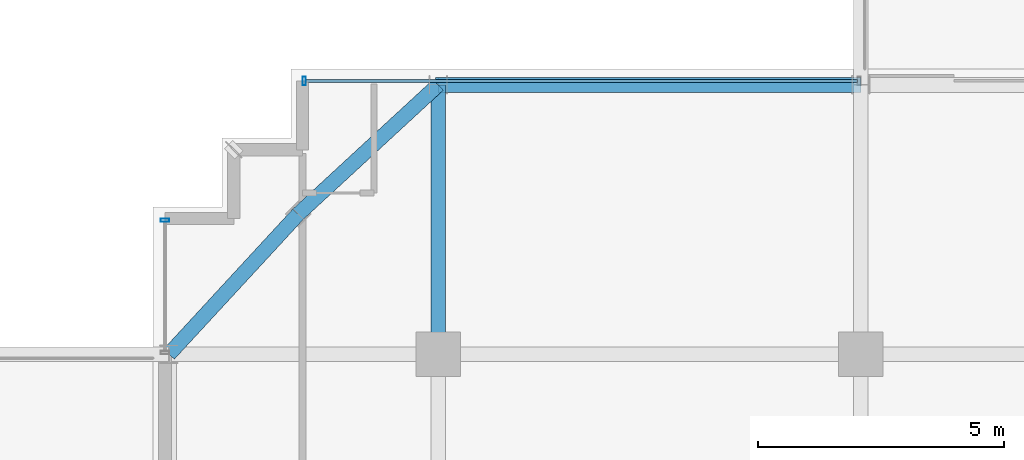
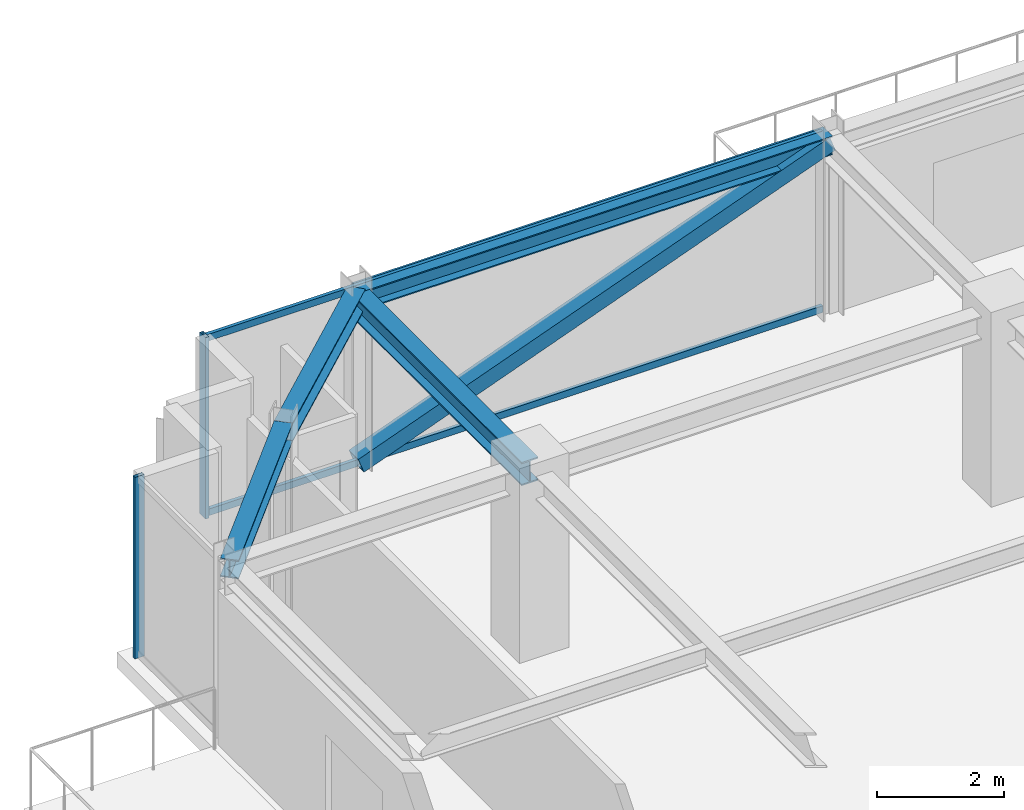
# One storey, part 19 of 36: 5 members, 4 beams, 2 elements without a shape of their own.
"""IFC4 building model written with IfcOpenShell, lengths in metres."""

from ifc_helpers import new_model, si_unit, direction, frame, origin, origin_2d, place, context, subcontext, project, spatial, hollow_rectangle, i_section, extrude, source, transform, mapped, material, material_profile, profile_set, type_object, element, aggregate, save


model = new_model("IFC4")

# Units and contexts
model_context = context("Model", 3, precision=1e-05, world=origin(), true_north=direction((0.0, 1.0)))
body_context = subcontext(model_context, "Body", "Model", "MODEL_VIEW")
ifc_project = project(units=[si_unit("LENGTHUNIT", "METRE"), si_unit("AREAUNIT", "SQUARE_METRE"), si_unit("VOLUMEUNIT", "CUBIC_METRE"), si_unit("PLANEANGLEUNIT", "RADIAN"), si_unit("MASSUNIT", "GRAM", prefix="KILO")], contexts=[model_context])

# Site, building, storey
site_placement = place(None, origin())
site = spatial("IfcSite", under=ifc_project, at=site_placement, CompositionType="ELEMENT")
building_placement = place(site_placement, origin())
building = spatial("IfcBuilding", under=site, at=building_placement, Name="Nahalor Promenade Grand Hotel", CompositionType="ELEMENT")
storey_placement = place(building_placement, frame((0.0, 0.0, 319.550048828125)))
storey = spatial("IfcBuildingStorey", under=building, at=storey_placement, Name="L82", CompositionType="ELEMENT", Elevation=319.550048828125)

# Beams
ifc_material_1 = material(Name="Steel S355JR", Category="steel")
ifc_material_profile_1 = material_profile(ifc_material_1, i_section(OverallWidth=0.3, OverallDepth=0.45, WebThickness=0.014, FlangeThickness=0.026, at=origin_2d()), Name="HEB 450")
ifc_profile_set_1 = profile_set([ifc_material_profile_1], Name="Steel S355JR")
beam_type_1 = type_object("IfcBeamType", Name="Beam-Girder-HEB450", PredefinedType="BEAM", material=ifc_profile_set_1)
shared_shape_1 = source(origin(), body_context, "Body", "SweptSolid", [
    extrude(i_section(OverallWidth=0.3, OverallDepth=0.45, WebThickness=0.014, FlangeThickness=0.026, at=origin_2d()), origin(), (0.0, 0.0, 1.0), 5.47998046875),
])
beam_1_placement = place(storey_placement, frame((-17.0, 17.0, 3.27490234375), z_axis=(0.0, 1.0, 0.0), x_axis=(-1.0, 0.0, 0.0)))
element("IfcBeam", 1, at=beam_1_placement, inside=storey, type_object=beam_type_1, Name="BM-L82-GY-0-4", PredefinedType="BEAM", context=body_context, shape_type="MappedRepresentation", body=[
    mapped(shared_shape_1, transform((0.0, 0.0, 0.0), scale=1.0)),
])
ifc_material_profile_2 = material_profile(ifc_material_1, i_section(OverallWidth=0.3, OverallDepth=0.36, WebThickness=0.0125, FlangeThickness=0.0225, at=origin_2d()), Name="HEB 360")
ifc_profile_set_2 = profile_set([ifc_material_profile_2], Name="Steel S355JR")
beam_type_2 = type_object("IfcBeamType", Name="Beam-Spandrel-HEB360", PredefinedType="SPANDREL", material=ifc_profile_set_2)
shared_shape_2 = source(origin(), body_context, "Body", "SweptSolid", [
    extrude(i_section(OverallWidth=0.3, OverallDepth=0.36, WebThickness=0.0125, FlangeThickness=0.0225, at=origin_2d()), origin(), (0.0, 0.0, 1.0), 8.60009765625),
])
beam_2_placement = place(storey_placement, frame((-17.0, 22.47998046875, 3.320068359375), z_axis=(1.0, 0.0, 0.0), x_axis=(0.0, 1.0, 0.0)))
element("IfcBeam", 2, at=beam_2_placement, inside=storey, type_object=beam_type_2, Name="BM-L82-SP-N-0", PredefinedType="SPANDREL", context=body_context, shape_type="MappedRepresentation", body=[
    mapped(shared_shape_2, transform((0.0, 0.0, 0.0), scale=1.0)),
])
shared_shape_3 = source(origin(), body_context, "Body", "SweptSolid", [
    extrude(i_section(OverallWidth=0.3, OverallDepth=0.36, WebThickness=0.0125, FlangeThickness=0.0225, at=origin_2d()), origin(), (0.0, 0.0, 1.0), 3.878173828125),
])
for number, where, z_axis, x_axis, name in (
    (3, (-17.0, 22.47998046875, 3.320068359375), (-0.73492893846, -0.678144125843, 0.0), (0.678144125843, -0.73492893846, 0.0), "BM-L82-SPC-NW-1"),
    (4, (-19.85009765625, 19.85009765625, 3.320068359375), (-0.678144125843, -0.73492893846, 0.0), (0.73492893846, -0.678144125843, 0.0), "BM-L82-SPC-NW-2"),
):
    element("IfcBeam", number, at=place(storey_placement, frame(where, z_axis=z_axis, x_axis=x_axis)), inside=storey, type_object=beam_type_2, Name=name, PredefinedType="SPANDREL", context=body_context, shape_type="MappedRepresentation", body=[
        mapped(shared_shape_3, transform((0.0, 0.0, 0.0), scale=1.0)),
    ])

# Member
ifc_material_profile_3 = material_profile(ifc_material_1, hollow_rectangle(XDim=0.3, YDim=0.3, WallThickness=0.016, at=origin_2d()), Name="SHS 300x300x16")
ifc_profile_set_3 = profile_set([ifc_material_profile_3], Name="Steel S355JR")
member_type_1 = type_object("IfcMemberType", Name="Mem-CrownBrace-SHS300", PredefinedType="BRACE", material=ifc_profile_set_3)
shared_shape_4 = source(origin(), body_context, "Body", "SweptSolid", [
    extrude(hollow_rectangle(XDim=0.3, YDim=0.3, WallThickness=0.016, at=origin_2d()), origin(), (0.0, 0.0, 1.0), 9.176025390625),
])
member_1_placement = place(storey_placement, frame((-17.0, 22.47998046875, 0.14990234375), z_axis=(0.937224884492, 0.0, 0.348725559559), x_axis=(0.0, 1.0, 0.0)))
element("IfcMember", 5, at=member_1_placement, inside=storey, type_object=member_type_1, Name="EXO-L82-N-0", PredefinedType="BRACE", context=body_context, shape_type="MappedRepresentation", body=[
    mapped(shared_shape_4, transform((0.0, 0.0, 0.0), scale=1.0)),
])

# Curtain wall, members
ifc_material_2 = material(Name="Anodised Bronze Aluminium EN AW-6063 T6", Category="aluminium")
curtain_wall_type = type_object("IfcCurtainWallType", Name="CW2 Typical Hotel Flush Bronze Unitised Curtain Wall", PredefinedType="USERDEFINED", material=ifc_material_2)
curtain_wall_1_placement = place(storey_placement, origin())
curtain_wall_1 = element("IfcCurtainWall", 6, at=curtain_wall_1_placement, inside=storey, type_object=curtain_wall_type, Name="L82 Curtain Wall CW-L82-N-1", ObjectType="UNITISED_CURTAIN_WALL", PredefinedType="USERDEFINED")
ifc_material_profile_4 = material_profile(ifc_material_2, hollow_rectangle(XDim=0.065, YDim=0.13, WallThickness=0.004, at=origin_2d()), Name="CWT 65x130x4")
ifc_profile_set_4 = profile_set([ifc_material_profile_4], Name="Anodised Bronze Aluminium EN AW-6063 T6")
member_type_2 = type_object("IfcMemberType", Name="CWT2 Typical Bronze Transom 65x130", PredefinedType="USERDEFINED", material=ifc_profile_set_4)
shared_shape_5 = source(origin(), body_context, "Body", "SweptSolid", [
    extrude(hollow_rectangle(XDim=0.065, YDim=0.13, WallThickness=0.004, at=origin_2d()), origin(), (0.0, 0.0, 1.0), 11.22998046875),
])
member_2_placement = place(storey_placement, frame((-19.695068359375, 22.56005859375, 0.06494140625), z_axis=(1.0, 0.0, 0.0), x_axis=(0.0, 1.0, 0.0)))
member_2 = element("IfcMember", 7, at=member_2_placement, type_object=member_type_2, Name="CW-L82-N-1 Transom 0-0", ObjectType="TRANSOM", PredefinedType="USERDEFINED", context=body_context, shape_type="MappedRepresentation", body=[
    mapped(shared_shape_5, transform((0.0, 0.0, 0.0), scale=1.0)),
])
member_3_placement = place(storey_placement, frame((-19.695068359375, 22.56005859375, 3.43505859375), z_axis=(1.0, 0.0, 0.0), x_axis=(0.0, 1.0, 0.0)))
member_3 = element("IfcMember", 8, at=member_3_placement, type_object=member_type_2, Name="CW-L82-N-1 Transom 0-1", ObjectType="TRANSOM", PredefinedType="USERDEFINED", context=body_context, shape_type="MappedRepresentation", body=[
    mapped(shared_shape_5, transform((0.0, 0.0, 0.0), scale=1.0)),
])
ifc_material_profile_5 = material_profile(ifc_material_2, hollow_rectangle(XDim=0.065, YDim=0.18, WallThickness=0.004, at=origin_2d()), Name="CWM 65x180x4")
ifc_profile_set_5 = profile_set([ifc_material_profile_5], Name="Anodised Bronze Aluminium EN AW-6063 T6")
member_type_3 = type_object("IfcMemberType", Name="CWM2 Typical Bronze Mullion 65x180", PredefinedType="MULLION", material=ifc_profile_set_5)
shared_shape_6 = source(origin(), body_context, "Body", "SweptSolid", [
    extrude(hollow_rectangle(XDim=0.065, YDim=0.18, WallThickness=0.004, at=origin_2d()), origin(), (0.0, 0.0, 1.0), 3.5),
])
member_4_placement = place(storey_placement, frame((-19.7275390625, 22.56005859375, 0.0), z_axis=(0.0, 0.0, 1.0), x_axis=(1.0, 0.0, 0.0)))
member_4 = element("IfcMember", 9, at=member_4_placement, type_object=member_type_3, Name="CW-L82-N-1 Mullion 0", PredefinedType="MULLION", context=body_context, shape_type="MappedRepresentation", body=[
    mapped(shared_shape_6, transform((0.0, 0.0, 0.0), scale=1.0)),
])
aggregate(curtain_wall_1, [member_4, member_2, member_3])

# Curtain wall, member
curtain_wall_2_placement = place(storey_placement, origin())
curtain_wall_2 = element("IfcCurtainWall", 10, at=curtain_wall_2_placement, inside=storey, type_object=curtain_wall_type, Name="L82 Curtain Wall CW-L82-W-3", ObjectType="UNITISED_CURTAIN_WALL", PredefinedType="USERDEFINED")
member_5_placement = place(storey_placement, frame((-22.56005859375, 19.7275390625, 0.0), z_axis=(0.0, 0.0, 1.0), x_axis=(0.0, 1.0, 0.0)))
member_5 = element("IfcMember", 11, at=member_5_placement, type_object=member_type_3, Name="CW-L82-W-3 Mullion 1", PredefinedType="MULLION", context=body_context, shape_type="MappedRepresentation", body=[
    mapped(shared_shape_6, transform((0.0, 0.0, 0.0), scale=1.0)),
])
aggregate(curtain_wall_2, [member_5])

save(model, "model.ifc")
